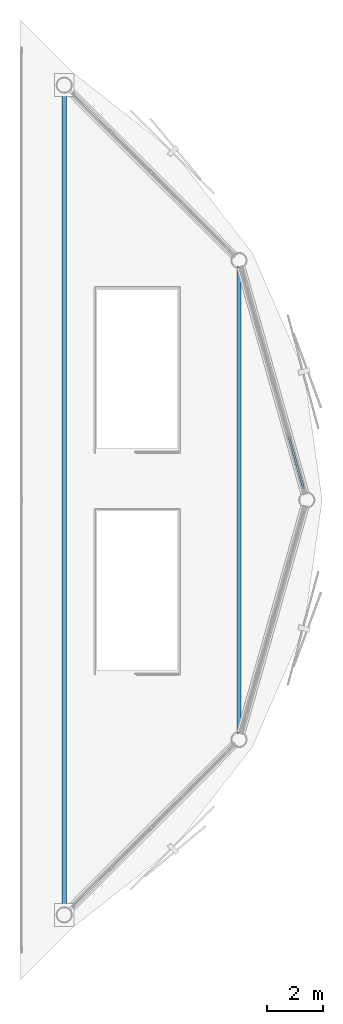
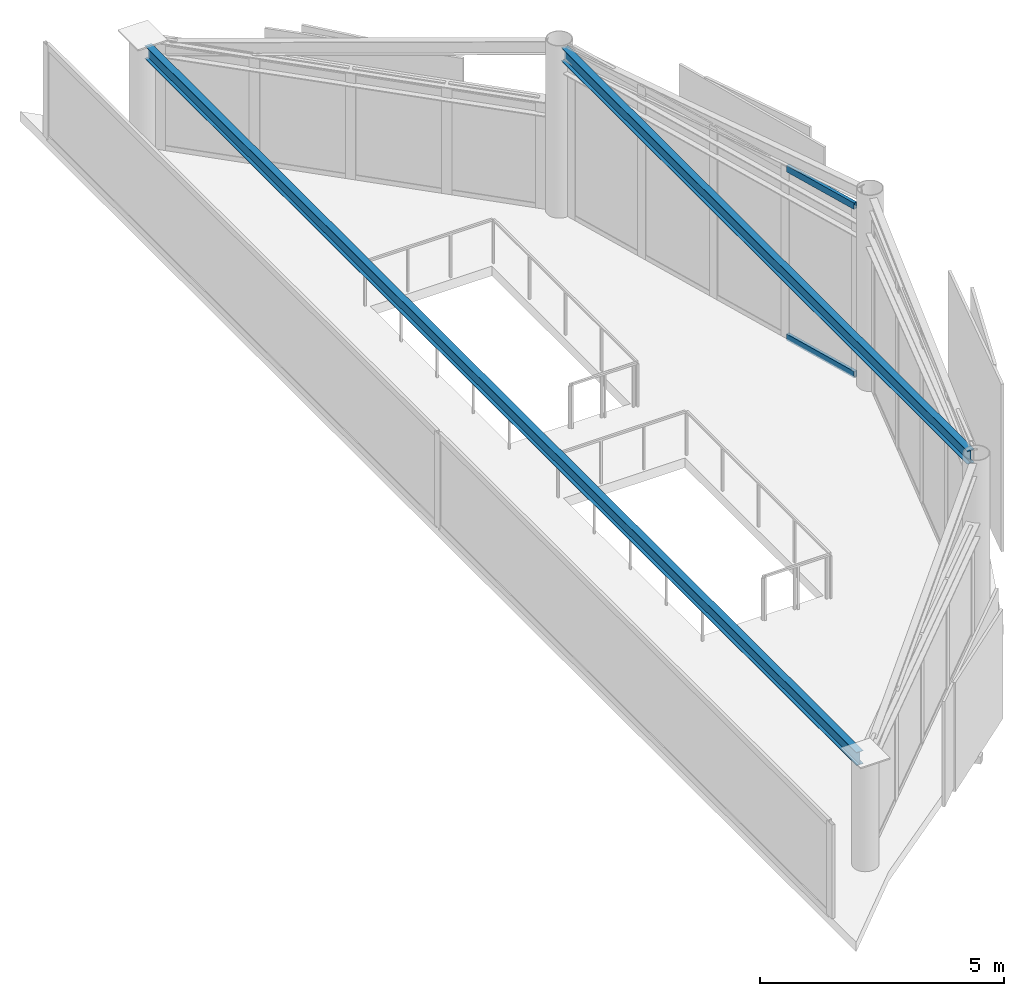
# One storey, part 3 of 6: 4 members, 1 element without a shape of its own.
"""IFC4 building model written with IfcOpenShell, lengths in metres."""

from ifc_helpers import new_model, si_unit, direction, frame, origin, origin_2d, place, context, subcontext, project, spatial, hollow_rectangle, i_section, extrude, material, layer, layer_set, material_profile, profile_set, type_object, element, aggregate, save


model = new_model("IFC4")

# Units and contexts
model_context = context("Model", 3, precision=1e-05, world=origin(), true_north=direction((0.0, 1.0)))
body_context = subcontext(model_context, "Body", "Model", "MODEL_VIEW")
ifc_project = project(units=[si_unit("LENGTHUNIT", "METRE"), si_unit("AREAUNIT", "SQUARE_METRE"), si_unit("VOLUMEUNIT", "CUBIC_METRE"), si_unit("PLANEANGLEUNIT", "RADIAN"), si_unit("MASSUNIT", "GRAM", prefix="KILO")], contexts=[model_context])

# Site, building, storey
site_placement = place(None, origin())
site = spatial("IfcSite", under=ifc_project, at=site_placement, CompositionType="ELEMENT")
building_placement = place(site_placement, origin())
building = spatial("IfcBuilding", under=site, at=building_placement, Name="Varnakorn Sky Granary", CompositionType="ELEMENT")
storey_placement = place(building_placement, frame((0.0, 0.0, 319.199951171875)))
storey = spatial("IfcBuildingStorey", under=building, at=storey_placement, Name="L81", CompositionType="ELEMENT", Elevation=319.199951171875)

# Curtain wall, members
ifc_material_1 = material(Name="Anodised Bronze Aluminium Alloy 6063-T6", Category="aluminium")
ifc_layer = layer(ifc_material_1, 0.22998046875, Name="Anodised Bronze Aluminium Alloy 6063-T6")
ifc_layer_set = layer_set([ifc_layer], Name="Anodised Bronze Aluminium Alloy 6063-T6")
curtain_wall_type = type_object("IfcCurtainWallType", Name="CW-LNT-1", PredefinedType="USERDEFINED", material=ifc_layer_set)
curtain_wall_placement = place(storey_placement, origin())
curtain_wall = element("IfcCurtainWall", 1, at=curtain_wall_placement, inside=storey, type_object=curtain_wall_type, Name="Unitised Curtain Wall CW7 CW-L81-B01", ObjectType="CURTAIN WALL", PredefinedType="USERDEFINED")
ifc_material_profile_1 = material_profile(ifc_material_1, hollow_rectangle(XDim=0.074951171875, YDim=0.159912109375, WallThickness=0.00390625, at=origin_2d()), Name="ALU TRAN 75x160")
ifc_profile_set_1 = profile_set([ifc_material_profile_1], Name="Anodised Bronze Aluminium Alloy 6063-T6")
member_type_1 = type_object("IfcMemberType", Name="CW-LNT-1-TRAN", PredefinedType="USERDEFINED", material=ifc_profile_set_1)
member_1_placement = place(storey_placement, frame((21.3603515625, 2.260498046875, 0.03759765625), z_axis=(0.272320261407, -0.962206669706, 0.0), x_axis=(0.962206669706, 0.272320261407, 0.0)))
member_1 = element("IfcMember", 2, at=member_1_placement, type_object=member_type_1, Name="CW7 transom 4.1", ObjectType="TRANSOM", PredefinedType="USERDEFINED", context=body_context, shape_type="SweptSolid", body=[
    extrude(hollow_rectangle(XDim=0.074951171875, YDim=0.159912109375, WallThickness=0.00390625, at=origin_2d()), origin(), (0.0, 0.0, 1.0), 1.9345703125),
])
member_2_placement = place(storey_placement, frame((21.3603515625, 2.260498046875, 4.243408203125), z_axis=(0.272320261407, -0.962206669706, 0.0), x_axis=(0.962206669706, 0.272320261407, 0.0)))
member_2 = element("IfcMember", 3, at=member_2_placement, type_object=member_type_1, Name="CW7 transom 4.2", ObjectType="TRANSOM", PredefinedType="USERDEFINED", context=body_context, shape_type="SweptSolid", body=[
    extrude(hollow_rectangle(XDim=0.074951171875, YDim=0.159912109375, WallThickness=0.00390625, at=origin_2d()), origin(), (0.0, 0.0, 1.0), 1.9345703125),
])
aggregate(curtain_wall, [member_1, member_2])

# Members
ifc_material_2 = material(Name="Steel S355JR", Category="steel")
ifc_material_profile_2 = material_profile(ifc_material_2, i_section(OverallWidth=0.159912109375, OverallDepth=0.330078125, WebThickness=0.007568359375, FlangeThickness=0.011474609375, at=origin_2d()), Name="IPE 330")
ifc_profile_set_2 = profile_set([ifc_material_profile_2], Name="Steel S355JR")
member_type_2 = type_object("IfcMemberType", Name="MB-PUR-330", PredefinedType="PURLIN", material=ifc_profile_set_2)
member_3_placement = place(storey_placement, frame((19.58544921875, 8.3125, 4.060791015625), z_axis=(0.0, -1.0, 0.0), x_axis=(1.0, 0.0, 0.0)))
element("IfcMember", 4, at=member_3_placement, inside=storey, type_object=member_type_2, Name="Sloped Crown Roof Purlin PR-01", PredefinedType="PURLIN", context=body_context, shape_type="SweptSolid", body=[
    extrude(i_section(OverallWidth=0.159912109375, OverallDepth=0.330078125, WebThickness=0.007568359375, FlangeThickness=0.011474609375, at=origin_2d()), origin(), (0.0, 0.0, 1.0), 16.625),
])
member_4_placement = place(storey_placement, frame((13.357421875, 14.55859375, 2.508056640625), z_axis=(0.0, -1.0, 0.0), x_axis=(1.0, 0.0, 0.0)))
element("IfcMember", 5, at=member_4_placement, inside=storey, type_object=member_type_2, Name="Sloped Crown Roof Purlin PR-02", PredefinedType="PURLIN", context=body_context, shape_type="SweptSolid", body=[
    extrude(i_section(OverallWidth=0.159912109375, OverallDepth=0.330078125, WebThickness=0.007568359375, FlangeThickness=0.011474609375, at=origin_2d()), origin(), (0.0, 0.0, 1.0), 29.1171875),
])

save(model, "model.ifc")
